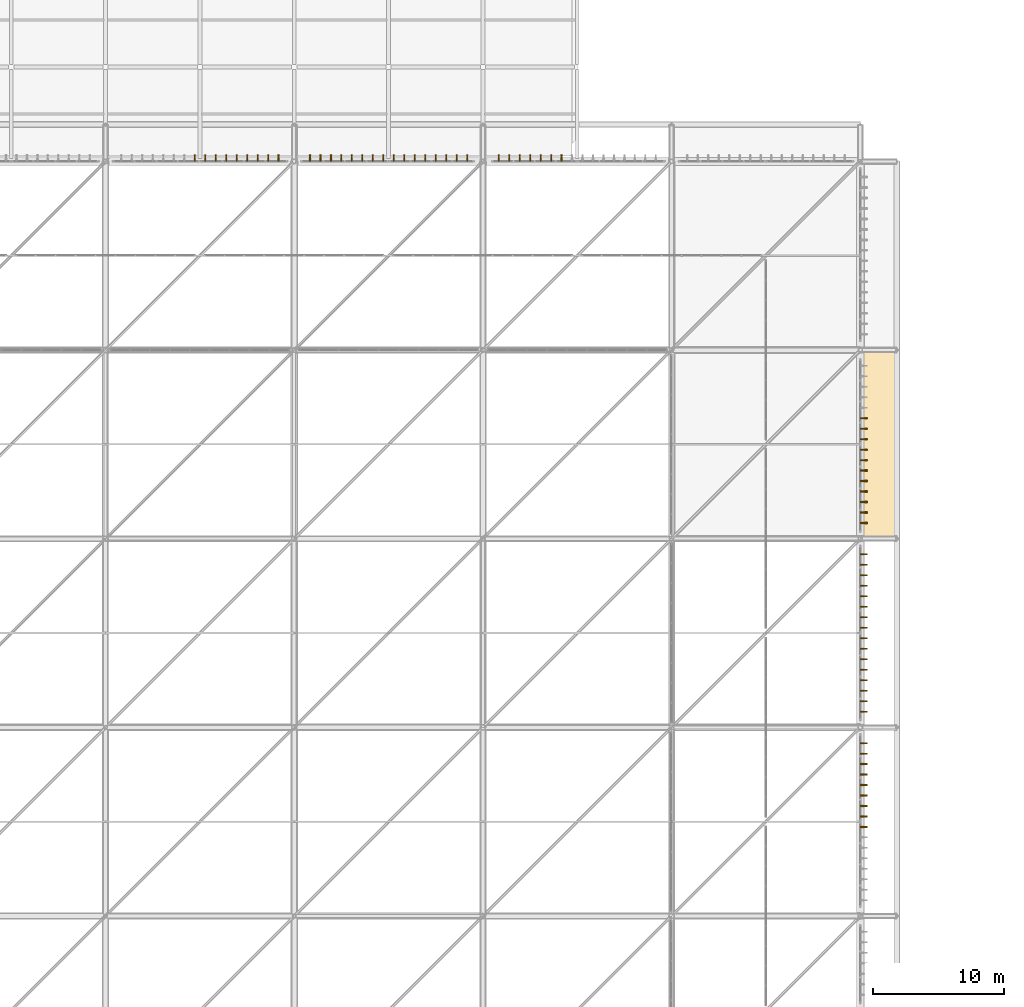
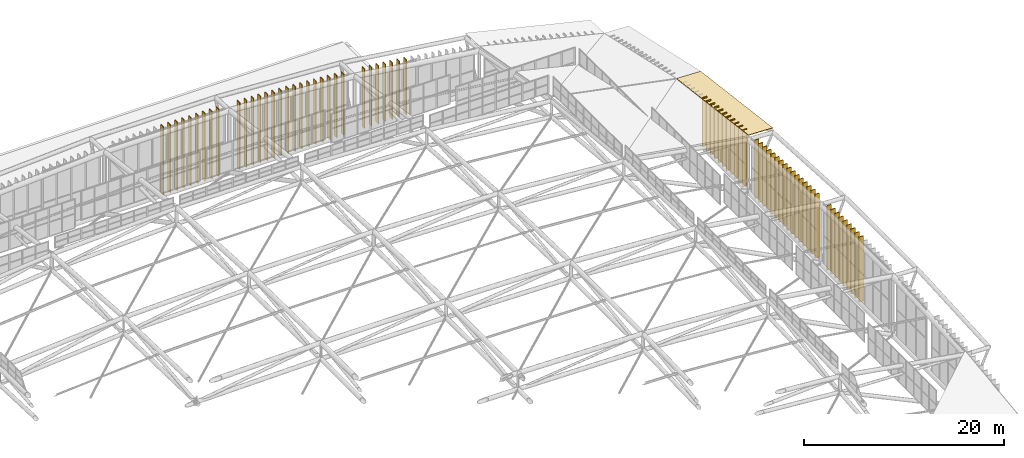
# One storey, part 396 of 397: 69 coverings.
"""IFC4 building model written with IfcOpenShell, lengths in metres."""

import ifcopenshell
import ifcopenshell.guid

model = None  # the IFC model being written
_history = None  # IfcOwnerHistory: only IFC2X3 demands one
_inside = {}  # id of a spatial element -> (the spatial element, [elements in it])
_under = {}  # id of a project, library or spatial element -> (it, [spatial elements below it])
_declared = {}  # id of a project -> (the project, [libraries it declares])
_typed = {}  # id of a type object -> (the type object, [elements of that type])
_made_of = {}  # id of a material, layer set ... -> (it, [elements and type objects made of it])


def new_model(schema):
    """Start an empty IFC model of exactly this schema.

    Asked for "IFC4X3", IfcOpenShell would pick the latest addendum, in which some entities
    have other attributes; the version numbers below select the first issue.
    IFC2X3 requires an IfcOwnerHistory on every rooted entity: one is made here for all.
    """
    global model, _history
    if schema == "IFC4X3":
        model = ifcopenshell.file(schema_version=(4, 3, 0, 0))
    else:
        model = ifcopenshell.file(schema=schema)
    _inside.clear()
    _under.clear()
    _declared.clear()
    _typed.clear()
    _made_of.clear()
    _history = None
    if model.schema == "IFC2X3":
        org = make("IfcOrganization", Name="unknown")
        user = make(
            "IfcPersonAndOrganization",
            ThePerson=make("IfcPerson", FamilyName="unknown"),
            TheOrganization=org,
        )
        app = make(
            "IfcApplication",
            ApplicationDeveloper=org,
            Version="unknown",
            ApplicationFullName="unknown",
            ApplicationIdentifier="unknown",
        )
        _history = make(
            "IfcOwnerHistory",
            OwningUser=user,
            OwningApplication=app,
            ChangeAction="ADDED",
            CreationDate=0,
        )
    return model


def make(cls, **values):
    """One entity of the class cls with the attributes given. An attribute that is None is left unset."""
    return model.create_entity(
        cls, **{name: value for name, value in values.items() if value is not None}
    )


def rooted(cls, **values):
    """An entity with a GlobalId (a new one), such as an element, a storey or a relation."""
    return make(cls, GlobalId=ifcopenshell.guid.new(), OwnerHistory=_history, **values)


def si_unit(unit_type, name, prefix=None):
    """IfcSIUnit, for example si_unit("LENGTHUNIT", "METRE", prefix="MILLI")."""
    return make("IfcSIUnit", UnitType=unit_type, Prefix=prefix, Name=name)


def assignment(units):
    """IfcUnitAssignment: the units of a project."""
    return None if units is None else make("IfcUnitAssignment", Units=units)


def point(xyz):
    """IfcCartesianPoint."""
    return None if xyz is None else make("IfcCartesianPoint", Coordinates=xyz)


def direction(xyz):
    """IfcDirection."""
    return None if xyz is None else make("IfcDirection", DirectionRatios=xyz)


def frame(location, z_axis=None, x_axis=None):
    """IfcAxis2Placement3D, a coordinate frame: its origin and axes. An axis left out is left unset."""
    return make(
        "IfcAxis2Placement3D",
        Location=point(location),
        Axis=direction(z_axis),
        RefDirection=direction(x_axis),
    )


def frame_2d(location, x_axis=None):
    """IfcAxis2Placement2D, a coordinate frame in the plane: its origin and x axis."""
    return make(
        "IfcAxis2Placement2D", Location=point(location), RefDirection=direction(x_axis)
    )


def origin():
    """The frame at (0, 0, 0) with its axes left unset."""
    return frame((0.0, 0.0, 0.0))


def origin_2d():
    """The frame at (0, 0) in the plane with its x axis left unset."""
    return frame_2d((0.0, 0.0))


def place(relative_to, where):
    """IfcLocalPlacement: puts the frame where relative to a parent placement (None: the world)."""
    return make(
        "IfcLocalPlacement", PlacementRelTo=relative_to, RelativePlacement=where
    )


def context(
    kind, dimensions, precision=None, world=None, true_north=None, identifier=None
):
    """IfcGeometricRepresentationContext, for example the 3D "Model" context."""
    return make(
        "IfcGeometricRepresentationContext",
        ContextIdentifier=identifier,
        ContextType=kind,
        CoordinateSpaceDimension=dimensions,
        Precision=precision,
        WorldCoordinateSystem=world,
        TrueNorth=true_north,
    )


def subcontext(parent, identifier, kind, view, scale=None):
    """IfcGeometricRepresentationSubContext, for example "Body" below "Model"."""
    return make(
        "IfcGeometricRepresentationSubContext",
        ContextIdentifier=identifier,
        ContextType=kind,
        ParentContext=parent,
        TargetScale=scale,
        TargetView=view,
    )


def project(units=None, contexts=None):
    """IfcProject with its units and contexts."""
    return rooted(
        "IfcProject",
        Name="project",
        RepresentationContexts=contexts,
        UnitsInContext=assignment(units),
    )


def spatial(cls, under=None, at=None, **own):
    """A site, building, storey or space (cls), placed at a placement, below another one or the project."""
    s = rooted(cls, ObjectPlacement=at, **own)
    if under is not None:
        _under.setdefault(under.id(), (under, []))[1].append(s)
    return s


def polyline(points):
    """IfcPolyline through the points."""
    return make("IfcPolyline", Points=[point(p) for p in points])


def profile(cls, at=None, kind="AREA", **sizes):
    """A parametric profile (cls). Its sizes go by their IFC names, for example OverallWidth=200.0."""
    return make(cls, ProfileType=kind, Position=at, **sizes)


def rectangle(**sizes):
    """IfcRectangleProfileDef."""
    return profile("IfcRectangleProfileDef", **sizes)


def outline(outer, holes=None, kind="AREA"):
    """IfcArbitraryClosedProfileDef: a profile drawn as a closed curve; with holes, ...WithVoids."""
    if holes is None:
        return make("IfcArbitraryClosedProfileDef", ProfileType=kind, OuterCurve=outer)
    return make(
        "IfcArbitraryProfileDefWithVoids",
        ProfileType=kind,
        OuterCurve=outer,
        InnerCurves=holes,
    )


def extrude(swept, where, along, depth):
    """IfcExtrudedAreaSolid: the profile swept, set in the frame where, extruded along a direction by depth."""
    return make(
        "IfcExtrudedAreaSolid",
        SweptArea=swept,
        Position=where,
        ExtrudedDirection=direction(along),
        Depth=depth,
    )


def shape(context_of_items, identifier, shape_type, items):
    """IfcShapeRepresentation: the items that make up one representation, for example the "Body"."""
    return make(
        "IfcShapeRepresentation",
        ContextOfItems=context_of_items,
        RepresentationIdentifier=identifier,
        RepresentationType=shape_type,
        Items=items,
    )


def material(Name=None, Category=None):
    """IfcMaterial."""
    return make("IfcMaterial", Name=Name, Category=Category)


def layer(
    of_material, thickness, ventilated=None, Name=None, Category=None, Priority=None
):
    """IfcMaterialLayer: one layer of a wall or slab, of a material (None: an air gap)."""
    return make(
        "IfcMaterialLayer",
        Material=of_material,
        LayerThickness=thickness,
        IsVentilated=ventilated,
        Name=Name,
        Category=Category,
        Priority=Priority,
    )


def layer_set(layers, Name=None):
    """IfcMaterialLayerSet."""
    return make("IfcMaterialLayerSet", MaterialLayers=layers, LayerSetName=Name)


def made_of(thing, what):
    """Note that an element or type object is made of a material, layer set ...; save() writes the relation."""
    if what is not None:
        _made_of.setdefault(what.id(), (what, []))[1].append(thing)
    return thing


def type_object(cls, material=None, **own):
    """A type object (cls), such as IfcWallType, which elements share."""
    return made_of(rooted(cls, **own), material)


def element(
    cls,
    number,
    at=None,
    inside=None,
    cuts=None,
    type_object=None,
    material=None,
    context=None,
    identifier="Body",
    shape_type=None,
    held_by="IfcProductDefinitionShape",
    body=None,
    shapes=None,
    **own,
):
    """One element of the class cls, such as IfcWall. Its Tag is "e" and its number.

    at: its placement. inside: the storey or other place that contains it. cuts: it is an
    opening in that element (IfcRelVoidsElement). A single representation is given by context,
    identifier, shape_type and body (its items); several are given by shapes. held_by: the class
    of the entity that holds the representations. save() writes the other relations.
    """
    e = rooted(cls, Tag="e%d" % number, ObjectPlacement=at, **own)
    if body is not None:
        shapes = [shape(context, identifier, shape_type, body)]
    if shapes is not None:
        e.Representation = make(held_by, Representations=shapes)
    if inside is not None:
        _inside.setdefault(inside.id(), (inside, []))[1].append(e)
    if cuts is not None:
        rooted(
            "IfcRelVoidsElement", RelatingBuildingElement=cuts, RelatedOpeningElement=e
        )
    if type_object is not None:
        _typed.setdefault(type_object.id(), (type_object, []))[1].append(e)
    return made_of(e, material)


def aggregate(whole, parts):
    """IfcRelAggregates: a whole, such as a stair, and the parts it consists of."""
    return rooted("IfcRelAggregates", RelatingObject=whole, RelatedObjects=parts)


def save(model, path):
    """Write the relations noted so far, then the file.

    IfcRelAggregates (storeys below a building ...), IfcRelContainedInSpatialStructure (elements
    in a storey), IfcRelDefinesByType, IfcRelAssociatesMaterial and IfcRelDeclares: one each for
    every whole, place, type object, material and project.
    """
    for whole, parts in _under.values():
        aggregate(whole, parts)
    for where, things in _inside.values():
        rooted(
            "IfcRelContainedInSpatialStructure",
            RelatedElements=things,
            RelatingStructure=where,
        )
    for kind, things in _typed.values():
        rooted("IfcRelDefinesByType", RelatedObjects=things, RelatingType=kind)
    for what, things in _made_of.values():
        rooted("IfcRelAssociatesMaterial", RelatedObjects=things, RelatingMaterial=what)
    for by, libraries in _declared.values():
        rooted("IfcRelDeclares", RelatingContext=by, RelatedDefinitions=libraries)
    model.write(path)


model = new_model("IFC4")

# Units and contexts
model_context = context("Model", 3, precision=1e-05, world=origin(), true_north=direction((0.0, 1.0)))
body_context = subcontext(model_context, "Body", "Model", "MODEL_VIEW")
ifc_project = project(units=[si_unit("LENGTHUNIT", "METRE"), si_unit("AREAUNIT", "SQUARE_METRE"), si_unit("VOLUMEUNIT", "CUBIC_METRE"), si_unit("PLANEANGLEUNIT", "RADIAN"), si_unit("MASSUNIT", "GRAM", prefix="KILO")], contexts=[model_context])

# Site, building, storey
site_placement = place(None, origin())
site = spatial("IfcSite", under=ifc_project, at=site_placement, CompositionType="ELEMENT")
building_placement = place(site_placement, origin())
building = spatial("IfcBuilding", under=site, at=building_placement, Name="Qandorah Velis Arena", CompositionType="ELEMENT")
storey_placement = place(building_placement, frame((0.0, 0.0, 27.5)))
storey = spatial("IfcBuildingStorey", under=building, at=storey_placement, Name="RF", CompositionType="ELEMENT", Elevation=27.5)

# Coverings
ifc_material_1 = material(Name="Champagne-bronze anodized aluminium 6063-T6", Category="aluminium")
ifc_layer_1 = layer(ifc_material_1, 0.0849609375)
ifc_layer_set_1 = layer_set([ifc_layer_1], Name="Champagne-bronze anodized aluminium 6063-T6")
covering_type_1 = type_object("IfcCoveringType", Name="ARC-COV-FIN520", PredefinedType="CLADDING", material=ifc_layer_set_1)
for number, where, z_axis, x_axis, name in (
    (1, (115.455078125, 64.39990234375, -0.010009765625), (0.0, 0.0, 1.0), (1.0, 0.0, 0.0), "Arched crown champagne-bronze solar fin 2.5.8"),
    (2, (115.455078125, 65.199951171875, -0.010009765625), (0.0, 0.0, 1.0), (1.0, 0.0, 0.0), "Arched crown champagne-bronze solar fin 2.5.9"),
):
    element("IfcCovering", number, at=place(storey_placement, frame(where, z_axis=z_axis, x_axis=x_axis)), inside=storey, type_object=covering_type_1, Name=name, PredefinedType="CLADDING", context=body_context, shape_type="SweptSolid", body=[
        extrude(rectangle(XDim=0.52001953125, YDim=0.0849609375, at=origin_2d()), origin(), (0.0, 0.0, 1.0), 7.92822265625),
    ])
covering_1_placement = place(storey_placement, frame((115.455078125, 66.0, -0.010009765625), z_axis=(0.0, 0.0, 1.0), x_axis=(1.0, 0.0, 0.0)))
element("IfcCovering", 3, at=covering_1_placement, inside=storey, type_object=covering_type_1, Name="Arched crown champagne-bronze solar fin 2.5.10", PredefinedType="CLADDING", context=body_context, shape_type="SweptSolid", body=[
    extrude(rectangle(XDim=0.52001953125, YDim=0.0849609375, at=origin_2d()), origin(), (0.0, 0.0, 1.0), 7.92578125),
])
covering_2_placement = place(storey_placement, frame((115.455078125, 66.800048828125, -0.01025390625), z_axis=(0.0, 0.0, 1.0), x_axis=(1.0, 0.0, 0.0)))
element("IfcCovering", 4, at=covering_2_placement, inside=storey, type_object=covering_type_1, Name="Arched crown champagne-bronze solar fin 2.5.11", PredefinedType="CLADDING", context=body_context, shape_type="SweptSolid", body=[
    extrude(rectangle(XDim=0.52001953125, YDim=0.0849609375, at=origin_2d()), origin(), (0.0, 0.0, 1.0), 7.921142578125),
])
covering_3_placement = place(storey_placement, frame((115.455078125, 67.60009765625, -0.009765625), z_axis=(0.0, 0.0, 1.0), x_axis=(1.0, 0.0, 0.0)))
element("IfcCovering", 5, at=covering_3_placement, inside=storey, type_object=covering_type_1, Name="Arched crown champagne-bronze solar fin 2.5.12", PredefinedType="CLADDING", context=body_context, shape_type="SweptSolid", body=[
    extrude(rectangle(XDim=0.52001953125, YDim=0.0849609375, at=origin_2d()), origin(), (0.0, 0.0, 1.0), 7.913818359375),
])
covering_4_placement = place(storey_placement, frame((115.455078125, 68.39990234375, -0.010009765625), z_axis=(0.0, 0.0, 1.0), x_axis=(1.0, 0.0, 0.0)))
element("IfcCovering", 6, at=covering_4_placement, inside=storey, type_object=covering_type_1, Name="Arched crown champagne-bronze solar fin 2.5.13", PredefinedType="CLADDING", context=body_context, shape_type="SweptSolid", body=[
    extrude(rectangle(XDim=0.52001953125, YDim=0.0849609375, at=origin_2d()), origin(), (0.0, 0.0, 1.0), 7.904296875),
])
covering_5_placement = place(storey_placement, frame((115.455078125, 69.199951171875, -0.010009765625), z_axis=(0.0, 0.0, 1.0), x_axis=(1.0, 0.0, 0.0)))
element("IfcCovering", 7, at=covering_5_placement, inside=storey, type_object=covering_type_1, Name="Arched crown champagne-bronze solar fin 2.5.14", PredefinedType="CLADDING", context=body_context, shape_type="SweptSolid", body=[
    extrude(rectangle(XDim=0.52001953125, YDim=0.0849609375, at=origin_2d()), origin(), (0.0, 0.0, 1.0), 7.89208984375),
])
covering_6_placement = place(storey_placement, frame((115.455078125, 70.0, -0.01025390625), z_axis=(0.0, 0.0, 1.0), x_axis=(1.0, 0.0, 0.0)))
element("IfcCovering", 8, at=covering_6_placement, inside=storey, type_object=covering_type_1, Name="Arched crown champagne-bronze solar fin 2.5.15", PredefinedType="CLADDING", context=body_context, shape_type="SweptSolid", body=[
    extrude(rectangle(XDim=0.52001953125, YDim=0.0849609375, at=origin_2d()), origin(), (0.0, 0.0, 1.0), 7.877685546875),
])
covering_7_placement = place(storey_placement, frame((115.455078125, 70.800048828125, -0.009765625), z_axis=(0.0, 0.0, 1.0), x_axis=(1.0, 0.0, 0.0)))
element("IfcCovering", 9, at=covering_7_placement, inside=storey, type_object=covering_type_1, Name="Arched crown champagne-bronze solar fin 2.5.16", PredefinedType="CLADDING", context=body_context, shape_type="SweptSolid", body=[
    extrude(rectangle(XDim=0.52001953125, YDim=0.0849609375, at=origin_2d()), origin(), (0.0, 0.0, 1.0), 7.860595703125),
])
covering_8_placement = place(storey_placement, frame((115.455078125, 73.199951171875, -0.010009765625), z_axis=(0.0, 0.0, 1.0), x_axis=(1.0, 0.0, 0.0)))
element("IfcCovering", 10, at=covering_8_placement, inside=storey, type_object=covering_type_1, Name="Arched crown champagne-bronze solar fin 2.6.1", PredefinedType="CLADDING", context=body_context, shape_type="SweptSolid", body=[
    extrude(rectangle(XDim=0.52001953125, YDim=0.0849609375, at=origin_2d()), origin(), (0.0, 0.0, 1.0), 7.794921875),
])
covering_9_placement = place(storey_placement, frame((115.455078125, 74.0, -0.010009765625), z_axis=(0.0, 0.0, 1.0), x_axis=(1.0, 0.0, 0.0)))
element("IfcCovering", 11, at=covering_9_placement, inside=storey, type_object=covering_type_1, Name="Arched crown champagne-bronze solar fin 2.6.2", PredefinedType="CLADDING", context=body_context, shape_type="SweptSolid", body=[
    extrude(rectangle(XDim=0.52001953125, YDim=0.0849609375, at=origin_2d()), origin(), (0.0, 0.0, 1.0), 7.76806640625),
])
covering_10_placement = place(storey_placement, frame((115.455078125, 74.800048828125, -0.010009765625), z_axis=(0.0, 0.0, 1.0), x_axis=(1.0, 0.0, 0.0)))
element("IfcCovering", 12, at=covering_10_placement, inside=storey, type_object=covering_type_1, Name="Arched crown champagne-bronze solar fin 2.6.3", PredefinedType="CLADDING", context=body_context, shape_type="SweptSolid", body=[
    extrude(rectangle(XDim=0.52001953125, YDim=0.0849609375, at=origin_2d()), origin(), (0.0, 0.0, 1.0), 7.73876953125),
])
covering_11_placement = place(storey_placement, frame((115.455078125, 75.60009765625, -0.01025390625), z_axis=(0.0, 0.0, 1.0), x_axis=(1.0, 0.0, 0.0)))
element("IfcCovering", 13, at=covering_11_placement, inside=storey, type_object=covering_type_1, Name="Arched crown champagne-bronze solar fin 2.6.4", PredefinedType="CLADDING", context=body_context, shape_type="SweptSolid", body=[
    extrude(rectangle(XDim=0.52001953125, YDim=0.0849609375, at=origin_2d()), origin(), (0.0, 0.0, 1.0), 7.706787109375),
])
covering_12_placement = place(storey_placement, frame((115.455078125, 76.39990234375, -0.01025390625), z_axis=(0.0, 0.0, 1.0), x_axis=(1.0, 0.0, 0.0)))
element("IfcCovering", 14, at=covering_12_placement, inside=storey, type_object=covering_type_1, Name="Arched crown champagne-bronze solar fin 2.6.5", PredefinedType="CLADDING", context=body_context, shape_type="SweptSolid", body=[
    extrude(rectangle(XDim=0.52001953125, YDim=0.0849609375, at=origin_2d()), origin(), (0.0, 0.0, 1.0), 7.672119140625),
])
covering_13_placement = place(storey_placement, frame((115.455078125, 77.199951171875, -0.01025390625), z_axis=(0.0, 0.0, 1.0), x_axis=(1.0, 0.0, 0.0)))
element("IfcCovering", 15, at=covering_13_placement, inside=storey, type_object=covering_type_1, Name="Arched crown champagne-bronze solar fin 2.6.6", PredefinedType="CLADDING", context=body_context, shape_type="SweptSolid", body=[
    extrude(rectangle(XDim=0.52001953125, YDim=0.0849609375, at=origin_2d()), origin(), (0.0, 0.0, 1.0), 7.635009765625),
])
covering_14_placement = place(storey_placement, frame((115.455078125, 78.0, -0.009765625), z_axis=(0.0, 0.0, 1.0), x_axis=(1.0, 0.0, 0.0)))
element("IfcCovering", 16, at=covering_14_placement, inside=storey, type_object=covering_type_1, Name="Arched crown champagne-bronze solar fin 2.6.7", PredefinedType="CLADDING", context=body_context, shape_type="SweptSolid", body=[
    extrude(rectangle(XDim=0.52001953125, YDim=0.0849609375, at=origin_2d()), origin(), (0.0, 0.0, 1.0), 7.594970703125),
])
covering_15_placement = place(storey_placement, frame((115.455078125, 78.800048828125, -0.01025390625), z_axis=(0.0, 0.0, 1.0), x_axis=(1.0, 0.0, 0.0)))
element("IfcCovering", 17, at=covering_15_placement, inside=storey, type_object=covering_type_1, Name="Arched crown champagne-bronze solar fin 2.6.8", PredefinedType="CLADDING", context=body_context, shape_type="SweptSolid", body=[
    extrude(rectangle(XDim=0.52001953125, YDim=0.0849609375, at=origin_2d()), origin(), (0.0, 0.0, 1.0), 7.552490234375),
])
covering_16_placement = place(storey_placement, frame((115.455078125, 79.60009765625, -0.010009765625), z_axis=(0.0, 0.0, 1.0), x_axis=(1.0, 0.0, 0.0)))
element("IfcCovering", 18, at=covering_16_placement, inside=storey, type_object=covering_type_1, Name="Arched crown champagne-bronze solar fin 2.6.9", PredefinedType="CLADDING", context=body_context, shape_type="SweptSolid", body=[
    extrude(rectangle(XDim=0.52001953125, YDim=0.0849609375, at=origin_2d()), origin(), (0.0, 0.0, 1.0), 7.50732421875),
])
covering_17_placement = place(storey_placement, frame((115.455078125, 80.39990234375, -0.010009765625), z_axis=(0.0, 0.0, 1.0), x_axis=(1.0, 0.0, 0.0)))
element("IfcCovering", 19, at=covering_17_placement, inside=storey, type_object=covering_type_1, Name="Arched crown champagne-bronze solar fin 2.6.10", PredefinedType="CLADDING", context=body_context, shape_type="SweptSolid", body=[
    extrude(rectangle(XDim=0.52001953125, YDim=0.0849609375, at=origin_2d()), origin(), (0.0, 0.0, 1.0), 7.45947265625),
])
covering_18_placement = place(storey_placement, frame((115.455078125, 81.199951171875, -0.010009765625), z_axis=(0.0, 0.0, 1.0), x_axis=(1.0, 0.0, 0.0)))
element("IfcCovering", 20, at=covering_18_placement, inside=storey, type_object=covering_type_1, Name="Arched crown champagne-bronze solar fin 2.6.11", PredefinedType="CLADDING", context=body_context, shape_type="SweptSolid", body=[
    extrude(rectangle(XDim=0.52001953125, YDim=0.0849609375, at=origin_2d()), origin(), (0.0, 0.0, 1.0), 7.40869140625),
])
covering_19_placement = place(storey_placement, frame((115.455078125, 82.0, -0.010009765625), z_axis=(0.0, 0.0, 1.0), x_axis=(1.0, 0.0, 0.0)))
element("IfcCovering", 21, at=covering_19_placement, inside=storey, type_object=covering_type_1, Name="Arched crown champagne-bronze solar fin 2.6.12", PredefinedType="CLADDING", context=body_context, shape_type="SweptSolid", body=[
    extrude(rectangle(XDim=0.52001953125, YDim=0.0849609375, at=origin_2d()), origin(), (0.0, 0.0, 1.0), 7.35498046875),
])
covering_20_placement = place(storey_placement, frame((115.455078125, 82.800048828125, -0.009765625), z_axis=(0.0, 0.0, 1.0), x_axis=(1.0, 0.0, 0.0)))
element("IfcCovering", 22, at=covering_20_placement, inside=storey, type_object=covering_type_1, Name="Arched crown champagne-bronze solar fin 2.6.13", PredefinedType="CLADDING", context=body_context, shape_type="SweptSolid", body=[
    extrude(rectangle(XDim=0.52001953125, YDim=0.0849609375, at=origin_2d()), origin(), (0.0, 0.0, 1.0), 7.298583984375),
])
covering_21_placement = place(storey_placement, frame((115.455078125, 83.60009765625, -0.01025390625), z_axis=(0.0, 0.0, 1.0), x_axis=(1.0, 0.0, 0.0)))
element("IfcCovering", 23, at=covering_21_placement, inside=storey, type_object=covering_type_1, Name="Arched crown champagne-bronze solar fin 2.6.14", PredefinedType="CLADDING", context=body_context, shape_type="SweptSolid", body=[
    extrude(rectangle(XDim=0.52001953125, YDim=0.0849609375, at=origin_2d()), origin(), (0.0, 0.0, 1.0), 7.239501953125),
])
covering_22_placement = place(storey_placement, frame((115.455078125, 84.39990234375, -0.009765625), z_axis=(0.0, 0.0, 1.0), x_axis=(1.0, 0.0, 0.0)))
element("IfcCovering", 24, at=covering_22_placement, inside=storey, type_object=covering_type_1, Name="Arched crown champagne-bronze solar fin 2.6.15", PredefinedType="CLADDING", context=body_context, shape_type="SweptSolid", body=[
    extrude(rectangle(XDim=0.52001953125, YDim=0.0849609375, at=origin_2d()), origin(), (0.0, 0.0, 1.0), 7.177001953125),
])
covering_23_placement = place(storey_placement, frame((115.455078125, 85.199951171875, -0.010009765625), z_axis=(0.0, 0.0, 1.0), x_axis=(1.0, 0.0, 0.0)))
element("IfcCovering", 25, at=covering_23_placement, inside=storey, type_object=covering_type_1, Name="Arched crown champagne-bronze solar fin 2.6.16", PredefinedType="CLADDING", context=body_context, shape_type="SweptSolid", body=[
    extrude(rectangle(XDim=0.52001953125, YDim=0.0849609375, at=origin_2d()), origin(), (0.0, 0.0, 1.0), 7.11181640625),
])
covering_24_placement = place(storey_placement, frame((115.455078125, 87.60009765625, -0.009765625), z_axis=(0.0, 0.0, 1.0), x_axis=(1.0, 0.0, 0.0)))
element("IfcCovering", 26, at=covering_24_placement, inside=storey, type_object=covering_type_1, Name="Arched crown champagne-bronze solar fin 2.7.1", PredefinedType="CLADDING", context=body_context, shape_type="SweptSolid", body=[
    extrude(rectangle(XDim=0.52001953125, YDim=0.0849609375, at=origin_2d()), origin(), (0.0, 0.0, 1.0), 6.897705078125),
])
covering_25_placement = place(storey_placement, frame((115.455078125, 88.39990234375, -0.010009765625), z_axis=(0.0, 0.0, 1.0), x_axis=(1.0, 0.0, 0.0)))
element("IfcCovering", 27, at=covering_25_placement, inside=storey, type_object=covering_type_1, Name="Arched crown champagne-bronze solar fin 2.7.2", PredefinedType="CLADDING", context=body_context, shape_type="SweptSolid", body=[
    extrude(rectangle(XDim=0.52001953125, YDim=0.0849609375, at=origin_2d()), origin(), (0.0, 0.0, 1.0), 6.8203125),
])
covering_26_placement = place(storey_placement, frame((115.455078125, 89.199951171875, -0.010009765625), z_axis=(0.0, 0.0, 1.0), x_axis=(1.0, 0.0, 0.0)))
element("IfcCovering", 28, at=covering_26_placement, inside=storey, type_object=covering_type_1, Name="Arched crown champagne-bronze solar fin 2.7.3", PredefinedType="CLADDING", context=body_context, shape_type="SweptSolid", body=[
    extrude(rectangle(XDim=0.52001953125, YDim=0.0849609375, at=origin_2d()), origin(), (0.0, 0.0, 1.0), 6.7392578125),
])
covering_27_placement = place(storey_placement, frame((115.455078125, 90.0, -0.010009765625), z_axis=(0.0, 0.0, 1.0), x_axis=(1.0, 0.0, 0.0)))
element("IfcCovering", 29, at=covering_27_placement, inside=storey, type_object=covering_type_1, Name="Arched crown champagne-bronze solar fin 2.7.4", PredefinedType="CLADDING", context=body_context, shape_type="SweptSolid", body=[
    extrude(rectangle(XDim=0.52001953125, YDim=0.0849609375, at=origin_2d()), origin(), (0.0, 0.0, 1.0), 6.6552734375),
])
covering_28_placement = place(storey_placement, frame((115.455078125, 90.800048828125, -0.01025390625), z_axis=(0.0, 0.0, 1.0), x_axis=(1.0, 0.0, 0.0)))
element("IfcCovering", 30, at=covering_28_placement, inside=storey, type_object=covering_type_1, Name="Arched crown champagne-bronze solar fin 2.7.5", PredefinedType="CLADDING", context=body_context, shape_type="SweptSolid", body=[
    extrude(rectangle(XDim=0.52001953125, YDim=0.0849609375, at=origin_2d()), origin(), (0.0, 0.0, 1.0), 6.567626953125),
])
covering_29_placement = place(storey_placement, frame((115.455078125, 91.60009765625, -0.009765625), z_axis=(0.0, 0.0, 1.0), x_axis=(1.0, 0.0, 0.0)))
element("IfcCovering", 31, at=covering_29_placement, inside=storey, type_object=covering_type_1, Name="Arched crown champagne-bronze solar fin 2.7.6", PredefinedType="CLADDING", context=body_context, shape_type="SweptSolid", body=[
    extrude(rectangle(XDim=0.52001953125, YDim=0.0849609375, at=origin_2d()), origin(), (0.0, 0.0, 1.0), 6.476806640625),
])
covering_30_placement = place(storey_placement, frame((115.455078125, 92.39990234375, -0.01025390625), z_axis=(0.0, 0.0, 1.0), x_axis=(1.0, 0.0, 0.0)))
element("IfcCovering", 32, at=covering_30_placement, inside=storey, type_object=covering_type_1, Name="Arched crown champagne-bronze solar fin 2.7.7", PredefinedType="CLADDING", context=body_context, shape_type="SweptSolid", body=[
    extrude(rectangle(XDim=0.52001953125, YDim=0.0849609375, at=origin_2d()), origin(), (0.0, 0.0, 1.0), 6.382568359375),
])
covering_31_placement = place(storey_placement, frame((115.455078125, 93.199951171875, -0.010009765625), z_axis=(0.0, 0.0, 1.0), x_axis=(1.0, 0.0, 0.0)))
element("IfcCovering", 33, at=covering_31_placement, inside=storey, type_object=covering_type_1, Name="Arched crown champagne-bronze solar fin 2.7.8", PredefinedType="CLADDING", context=body_context, shape_type="SweptSolid", body=[
    extrude(rectangle(XDim=0.52001953125, YDim=0.0849609375, at=origin_2d()), origin(), (0.0, 0.0, 1.0), 6.28466796875),
])
covering_32_placement = place(storey_placement, frame((115.455078125, 94.0, -0.01025390625), z_axis=(0.0, 0.0, 1.0), x_axis=(1.0, 0.0, 0.0)))
element("IfcCovering", 34, at=covering_32_placement, inside=storey, type_object=covering_type_1, Name="Arched crown champagne-bronze solar fin 2.7.9", PredefinedType="CLADDING", context=body_context, shape_type="SweptSolid", body=[
    extrude(rectangle(XDim=0.52001953125, YDim=0.0849609375, at=origin_2d()), origin(), (0.0, 0.0, 1.0), 6.183349609375),
])
covering_33_placement = place(storey_placement, frame((115.455078125, 94.800048828125, -0.010009765625), z_axis=(0.0, 0.0, 1.0), x_axis=(1.0, 0.0, 0.0)))
element("IfcCovering", 35, at=covering_33_placement, inside=storey, type_object=covering_type_1, Name="Arched crown champagne-bronze solar fin 2.7.10", PredefinedType="CLADDING", context=body_context, shape_type="SweptSolid", body=[
    extrude(rectangle(XDim=0.52001953125, YDim=0.0849609375, at=origin_2d()), origin(), (0.0, 0.0, 1.0), 6.078125),
])
covering_34_placement = place(storey_placement, frame((115.455078125, 95.60009765625, -0.009765625), z_axis=(0.0, 0.0, 1.0), x_axis=(1.0, 0.0, 0.0)))
element("IfcCovering", 36, at=covering_34_placement, inside=storey, type_object=covering_type_1, Name="Arched crown champagne-bronze solar fin 2.7.11", PredefinedType="CLADDING", context=body_context, shape_type="SweptSolid", body=[
    extrude(rectangle(XDim=0.52001953125, YDim=0.0849609375, at=origin_2d()), origin(), (0.0, 0.0, 1.0), 5.969482421875),
])
for number, where, z_axis, x_axis, name in (
    (37, (64.39990234375, 115.455078125, -0.009765625), (0.0, 0.0, 1.0), (1.0, 0.0, 0.0), "Arched crown champagne-bronze solar fin 4.4.8"),
    (38, (65.199951171875, 115.455078125, -0.009765625), (0.0, 0.0, 1.0), (1.0, 0.0, 0.0), "Arched crown champagne-bronze solar fin 4.4.9"),
):
    element("IfcCovering", number, at=place(storey_placement, frame(where, z_axis=z_axis, x_axis=x_axis)), inside=storey, type_object=covering_type_1, Name=name, PredefinedType="CLADDING", context=body_context, shape_type="SweptSolid", body=[
        extrude(rectangle(XDim=0.0849609375, YDim=0.52001953125, at=origin_2d()), origin(), (0.0, 0.0, 1.0), 8.316650390625),
    ])
covering_35_placement = place(storey_placement, frame((66.0, 115.455078125, -0.009765625), z_axis=(0.0, 0.0, 1.0), x_axis=(1.0, 0.0, 0.0)))
element("IfcCovering", 39, at=covering_35_placement, inside=storey, type_object=covering_type_1, Name="Arched crown champagne-bronze solar fin 4.4.10", PredefinedType="CLADDING", context=body_context, shape_type="SweptSolid", body=[
    extrude(rectangle(XDim=0.0849609375, YDim=0.52001953125, at=origin_2d()), origin(), (0.0, 0.0, 1.0), 8.314208984375),
])
covering_36_placement = place(storey_placement, frame((66.800048828125, 115.455078125, -0.01025390625), z_axis=(0.0, 0.0, 1.0), x_axis=(1.0, 0.0, 0.0)))
element("IfcCovering", 40, at=covering_36_placement, inside=storey, type_object=covering_type_1, Name="Arched crown champagne-bronze solar fin 4.4.11", PredefinedType="CLADDING", context=body_context, shape_type="SweptSolid", body=[
    extrude(rectangle(XDim=0.0849609375, YDim=0.52001953125, at=origin_2d()), origin(), (0.0, 0.0, 1.0), 8.309326171875),
])
covering_37_placement = place(storey_placement, frame((67.60009765625, 115.455078125, -0.010009765625), z_axis=(0.0, 0.0, 1.0), x_axis=(1.0, 0.0, 0.0)))
element("IfcCovering", 41, at=covering_37_placement, inside=storey, type_object=covering_type_1, Name="Arched crown champagne-bronze solar fin 4.4.12", PredefinedType="CLADDING", context=body_context, shape_type="SweptSolid", body=[
    extrude(rectangle(XDim=0.0849609375, YDim=0.52001953125, at=origin_2d()), origin(), (0.0, 0.0, 1.0), 8.3017578125),
])
covering_38_placement = place(storey_placement, frame((68.39990234375, 115.455078125, -0.009765625), z_axis=(0.0, 0.0, 1.0), x_axis=(1.0, 0.0, 0.0)))
element("IfcCovering", 42, at=covering_38_placement, inside=storey, type_object=covering_type_1, Name="Arched crown champagne-bronze solar fin 4.4.13", PredefinedType="CLADDING", context=body_context, shape_type="SweptSolid", body=[
    extrude(rectangle(XDim=0.0849609375, YDim=0.52001953125, at=origin_2d()), origin(), (0.0, 0.0, 1.0), 8.291748046875),
])
covering_39_placement = place(storey_placement, frame((69.199951171875, 115.455078125, -0.010009765625), z_axis=(0.0, 0.0, 1.0), x_axis=(1.0, 0.0, 0.0)))
element("IfcCovering", 43, at=covering_39_placement, inside=storey, type_object=covering_type_1, Name="Arched crown champagne-bronze solar fin 4.4.14", PredefinedType="CLADDING", context=body_context, shape_type="SweptSolid", body=[
    extrude(rectangle(XDim=0.0849609375, YDim=0.52001953125, at=origin_2d()), origin(), (0.0, 0.0, 1.0), 8.279296875),
])
covering_40_placement = place(storey_placement, frame((70.0, 115.455078125, -0.009765625), z_axis=(0.0, 0.0, 1.0), x_axis=(1.0, 0.0, 0.0)))
element("IfcCovering", 44, at=covering_40_placement, inside=storey, type_object=covering_type_1, Name="Arched crown champagne-bronze solar fin 4.4.15", PredefinedType="CLADDING", context=body_context, shape_type="SweptSolid", body=[
    extrude(rectangle(XDim=0.0849609375, YDim=0.52001953125, at=origin_2d()), origin(), (0.0, 0.0, 1.0), 8.264404296875),
])
covering_41_placement = place(storey_placement, frame((70.800048828125, 115.455078125, -0.009765625), z_axis=(0.0, 0.0, 1.0), x_axis=(1.0, 0.0, 0.0)))
element("IfcCovering", 45, at=covering_41_placement, inside=storey, type_object=covering_type_1, Name="Arched crown champagne-bronze solar fin 4.4.16", PredefinedType="CLADDING", context=body_context, shape_type="SweptSolid", body=[
    extrude(rectangle(XDim=0.0849609375, YDim=0.52001953125, at=origin_2d()), origin(), (0.0, 0.0, 1.0), 8.246826171875),
])
covering_42_placement = place(storey_placement, frame((73.199951171875, 115.455078125, -0.01025390625), z_axis=(0.0, 0.0, 1.0), x_axis=(1.0, 0.0, 0.0)))
element("IfcCovering", 46, at=covering_42_placement, inside=storey, type_object=covering_type_1, Name="Arched crown champagne-bronze solar fin 4.5.1", PredefinedType="CLADDING", context=body_context, shape_type="SweptSolid", body=[
    extrude(rectangle(XDim=0.0849609375, YDim=0.52001953125, at=origin_2d()), origin(), (0.0, 0.0, 1.0), 8.178955078125),
])
covering_43_placement = place(storey_placement, frame((74.0, 115.455078125, -0.01025390625), z_axis=(0.0, 0.0, 1.0), x_axis=(1.0, 0.0, 0.0)))
element("IfcCovering", 47, at=covering_43_placement, inside=storey, type_object=covering_type_1, Name="Arched crown champagne-bronze solar fin 4.5.2", PredefinedType="CLADDING", context=body_context, shape_type="SweptSolid", body=[
    extrude(rectangle(XDim=0.0849609375, YDim=0.52001953125, at=origin_2d()), origin(), (0.0, 0.0, 1.0), 8.151123046875),
])
covering_44_placement = place(storey_placement, frame((74.800048828125, 115.455078125, -0.010009765625), z_axis=(0.0, 0.0, 1.0), x_axis=(1.0, 0.0, 0.0)))
element("IfcCovering", 48, at=covering_44_placement, inside=storey, type_object=covering_type_1, Name="Arched crown champagne-bronze solar fin 4.5.3", PredefinedType="CLADDING", context=body_context, shape_type="SweptSolid", body=[
    extrude(rectangle(XDim=0.0849609375, YDim=0.52001953125, at=origin_2d()), origin(), (0.0, 0.0, 1.0), 8.12060546875),
])
covering_45_placement = place(storey_placement, frame((75.60009765625, 115.455078125, -0.010009765625), z_axis=(0.0, 0.0, 1.0), x_axis=(1.0, 0.0, 0.0)))
element("IfcCovering", 49, at=covering_45_placement, inside=storey, type_object=covering_type_1, Name="Arched crown champagne-bronze solar fin 4.5.4", PredefinedType="CLADDING", context=body_context, shape_type="SweptSolid", body=[
    extrude(rectangle(XDim=0.0849609375, YDim=0.52001953125, at=origin_2d()), origin(), (0.0, 0.0, 1.0), 8.08740234375),
])
covering_46_placement = place(storey_placement, frame((76.39990234375, 115.455078125, -0.01025390625), z_axis=(0.0, 0.0, 1.0), x_axis=(1.0, 0.0, 0.0)))
element("IfcCovering", 50, at=covering_46_placement, inside=storey, type_object=covering_type_1, Name="Arched crown champagne-bronze solar fin 4.5.5", PredefinedType="CLADDING", context=body_context, shape_type="SweptSolid", body=[
    extrude(rectangle(XDim=0.0849609375, YDim=0.52001953125, at=origin_2d()), origin(), (0.0, 0.0, 1.0), 8.051513671875),
])
covering_47_placement = place(storey_placement, frame((77.199951171875, 115.455078125, -0.01025390625), z_axis=(0.0, 0.0, 1.0), x_axis=(1.0, 0.0, 0.0)))
element("IfcCovering", 51, at=covering_47_placement, inside=storey, type_object=covering_type_1, Name="Arched crown champagne-bronze solar fin 4.5.6", PredefinedType="CLADDING", context=body_context, shape_type="SweptSolid", body=[
    extrude(rectangle(XDim=0.0849609375, YDim=0.52001953125, at=origin_2d()), origin(), (0.0, 0.0, 1.0), 8.012939453125),
])
covering_48_placement = place(storey_placement, frame((78.0, 115.455078125, -0.01025390625), z_axis=(0.0, 0.0, 1.0), x_axis=(1.0, 0.0, 0.0)))
element("IfcCovering", 52, at=covering_48_placement, inside=storey, type_object=covering_type_1, Name="Arched crown champagne-bronze solar fin 4.5.7", PredefinedType="CLADDING", context=body_context, shape_type="SweptSolid", body=[
    extrude(rectangle(XDim=0.0849609375, YDim=0.52001953125, at=origin_2d()), origin(), (0.0, 0.0, 1.0), 7.971435546875),
])
covering_49_placement = place(storey_placement, frame((78.800048828125, 115.455078125, -0.01025390625), z_axis=(0.0, 0.0, 1.0), x_axis=(1.0, 0.0, 0.0)))
element("IfcCovering", 53, at=covering_49_placement, inside=storey, type_object=covering_type_1, Name="Arched crown champagne-bronze solar fin 4.5.8", PredefinedType="CLADDING", context=body_context, shape_type="SweptSolid", body=[
    extrude(rectangle(XDim=0.0849609375, YDim=0.52001953125, at=origin_2d()), origin(), (0.0, 0.0, 1.0), 7.927490234375),
])
covering_50_placement = place(storey_placement, frame((79.60009765625, 115.455078125, -0.010009765625), z_axis=(0.0, 0.0, 1.0), x_axis=(1.0, 0.0, 0.0)))
element("IfcCovering", 54, at=covering_50_placement, inside=storey, type_object=covering_type_1, Name="Arched crown champagne-bronze solar fin 4.5.9", PredefinedType="CLADDING", context=body_context, shape_type="SweptSolid", body=[
    extrude(rectangle(XDim=0.0849609375, YDim=0.52001953125, at=origin_2d()), origin(), (0.0, 0.0, 1.0), 7.88037109375),
])
covering_51_placement = place(storey_placement, frame((80.39990234375, 115.455078125, -0.009765625), z_axis=(0.0, 0.0, 1.0), x_axis=(1.0, 0.0, 0.0)))
element("IfcCovering", 55, at=covering_51_placement, inside=storey, type_object=covering_type_1, Name="Arched crown champagne-bronze solar fin 4.5.10", PredefinedType="CLADDING", context=body_context, shape_type="SweptSolid", body=[
    extrude(rectangle(XDim=0.0849609375, YDim=0.52001953125, at=origin_2d()), origin(), (0.0, 0.0, 1.0), 7.830322265625),
])
covering_52_placement = place(storey_placement, frame((81.199951171875, 115.455078125, -0.009765625), z_axis=(0.0, 0.0, 1.0), x_axis=(1.0, 0.0, 0.0)))
element("IfcCovering", 56, at=covering_52_placement, inside=storey, type_object=covering_type_1, Name="Arched crown champagne-bronze solar fin 4.5.11", PredefinedType="CLADDING", context=body_context, shape_type="SweptSolid", body=[
    extrude(rectangle(XDim=0.0849609375, YDim=0.52001953125, at=origin_2d()), origin(), (0.0, 0.0, 1.0), 7.777587890625),
])
covering_53_placement = place(storey_placement, frame((82.0, 115.455078125, -0.010009765625), z_axis=(0.0, 0.0, 1.0), x_axis=(1.0, 0.0, 0.0)))
element("IfcCovering", 57, at=covering_53_placement, inside=storey, type_object=covering_type_1, Name="Arched crown champagne-bronze solar fin 4.5.12", PredefinedType="CLADDING", context=body_context, shape_type="SweptSolid", body=[
    extrude(rectangle(XDim=0.0849609375, YDim=0.52001953125, at=origin_2d()), origin(), (0.0, 0.0, 1.0), 7.7216796875),
])
covering_54_placement = place(storey_placement, frame((82.800048828125, 115.455078125, -0.01025390625), z_axis=(0.0, 0.0, 1.0), x_axis=(1.0, 0.0, 0.0)))
element("IfcCovering", 58, at=covering_54_placement, inside=storey, type_object=covering_type_1, Name="Arched crown champagne-bronze solar fin 4.5.13", PredefinedType="CLADDING", context=body_context, shape_type="SweptSolid", body=[
    extrude(rectangle(XDim=0.0849609375, YDim=0.52001953125, at=origin_2d()), origin(), (0.0, 0.0, 1.0), 7.662841796875),
])
covering_55_placement = place(storey_placement, frame((83.60009765625, 115.455078125, -0.01025390625), z_axis=(0.0, 0.0, 1.0), x_axis=(1.0, 0.0, 0.0)))
element("IfcCovering", 59, at=covering_55_placement, inside=storey, type_object=covering_type_1, Name="Arched crown champagne-bronze solar fin 4.5.14", PredefinedType="CLADDING", context=body_context, shape_type="SweptSolid", body=[
    extrude(rectangle(XDim=0.0849609375, YDim=0.52001953125, at=origin_2d()), origin(), (0.0, 0.0, 1.0), 7.600830078125),
])
covering_56_placement = place(storey_placement, frame((84.39990234375, 115.455078125, -0.01025390625), z_axis=(0.0, 0.0, 1.0), x_axis=(1.0, 0.0, 0.0)))
element("IfcCovering", 60, at=covering_56_placement, inside=storey, type_object=covering_type_1, Name="Arched crown champagne-bronze solar fin 4.5.15", PredefinedType="CLADDING", context=body_context, shape_type="SweptSolid", body=[
    extrude(rectangle(XDim=0.0849609375, YDim=0.52001953125, at=origin_2d()), origin(), (0.0, 0.0, 1.0), 7.535888671875),
])
covering_57_placement = place(storey_placement, frame((85.199951171875, 115.455078125, -0.010009765625), z_axis=(0.0, 0.0, 1.0), x_axis=(1.0, 0.0, 0.0)))
element("IfcCovering", 61, at=covering_57_placement, inside=storey, type_object=covering_type_1, Name="Arched crown champagne-bronze solar fin 4.5.16", PredefinedType="CLADDING", context=body_context, shape_type="SweptSolid", body=[
    extrude(rectangle(XDim=0.0849609375, YDim=0.52001953125, at=origin_2d()), origin(), (0.0, 0.0, 1.0), 7.4677734375),
])
covering_58_placement = place(storey_placement, frame((87.60009765625, 115.455078125, -0.01025390625), z_axis=(0.0, 0.0, 1.0), x_axis=(1.0, 0.0, 0.0)))
element("IfcCovering", 62, at=covering_58_placement, inside=storey, type_object=covering_type_1, Name="Arched crown champagne-bronze solar fin 4.6.1", PredefinedType="CLADDING", context=body_context, shape_type="SweptSolid", body=[
    extrude(rectangle(XDim=0.0849609375, YDim=0.52001953125, at=origin_2d()), origin(), (0.0, 0.0, 1.0), 7.243408203125),
])
covering_59_placement = place(storey_placement, frame((88.39990234375, 115.455078125, -0.01025390625), z_axis=(0.0, 0.0, 1.0), x_axis=(1.0, 0.0, 0.0)))
element("IfcCovering", 63, at=covering_59_placement, inside=storey, type_object=covering_type_1, Name="Arched crown champagne-bronze solar fin 4.6.2", PredefinedType="CLADDING", context=body_context, shape_type="SweptSolid", body=[
    extrude(rectangle(XDim=0.0849609375, YDim=0.52001953125, at=origin_2d()), origin(), (0.0, 0.0, 1.0), 7.161865234375),
])
covering_60_placement = place(storey_placement, frame((89.199951171875, 115.455078125, -0.01025390625), z_axis=(0.0, 0.0, 1.0), x_axis=(1.0, 0.0, 0.0)))
element("IfcCovering", 64, at=covering_60_placement, inside=storey, type_object=covering_type_1, Name="Arched crown champagne-bronze solar fin 4.6.3", PredefinedType="CLADDING", context=body_context, shape_type="SweptSolid", body=[
    extrude(rectangle(XDim=0.0849609375, YDim=0.52001953125, at=origin_2d()), origin(), (0.0, 0.0, 1.0), 7.076904296875),
])
covering_61_placement = place(storey_placement, frame((90.0, 115.455078125, -0.010009765625), z_axis=(0.0, 0.0, 1.0), x_axis=(1.0, 0.0, 0.0)))
element("IfcCovering", 65, at=covering_61_placement, inside=storey, type_object=covering_type_1, Name="Arched crown champagne-bronze solar fin 4.6.4", PredefinedType="CLADDING", context=body_context, shape_type="SweptSolid", body=[
    extrude(rectangle(XDim=0.0849609375, YDim=0.52001953125, at=origin_2d()), origin(), (0.0, 0.0, 1.0), 6.98828125),
])
covering_62_placement = place(storey_placement, frame((90.800048828125, 115.455078125, -0.010009765625), z_axis=(0.0, 0.0, 1.0), x_axis=(1.0, 0.0, 0.0)))
element("IfcCovering", 66, at=covering_62_placement, inside=storey, type_object=covering_type_1, Name="Arched crown champagne-bronze solar fin 4.6.5", PredefinedType="CLADDING", context=body_context, shape_type="SweptSolid", body=[
    extrude(rectangle(XDim=0.0849609375, YDim=0.52001953125, at=origin_2d()), origin(), (0.0, 0.0, 1.0), 6.89599609375),
])
covering_63_placement = place(storey_placement, frame((91.60009765625, 115.455078125, -0.010009765625), z_axis=(0.0, 0.0, 1.0), x_axis=(1.0, 0.0, 0.0)))
element("IfcCovering", 67, at=covering_63_placement, inside=storey, type_object=covering_type_1, Name="Arched crown champagne-bronze solar fin 4.6.6", PredefinedType="CLADDING", context=body_context, shape_type="SweptSolid", body=[
    extrude(rectangle(XDim=0.0849609375, YDim=0.52001953125, at=origin_2d()), origin(), (0.0, 0.0, 1.0), 6.80029296875),
])
covering_64_placement = place(storey_placement, frame((92.39990234375, 115.455078125, -0.010009765625), z_axis=(0.0, 0.0, 1.0), x_axis=(1.0, 0.0, 0.0)))
element("IfcCovering", 68, at=covering_64_placement, inside=storey, type_object=covering_type_1, Name="Arched crown champagne-bronze solar fin 4.6.7", PredefinedType="CLADDING", context=body_context, shape_type="SweptSolid", body=[
    extrude(rectangle(XDim=0.0849609375, YDim=0.52001953125, at=origin_2d()), origin(), (0.0, 0.0, 1.0), 6.70068359375),
])
ifc_material_2 = material(Name="Insulated high-albedo standing-seam aluminium roofing", Category="aluminium")
ifc_layer_2 = layer(ifc_material_2, 0.080078125)
ifc_layer_set_2 = layer_set([ifc_layer_2], Name="Insulated high-albedo standing-seam aluminium roofing")
covering_type_2 = type_object("IfcCoveringType", Name="ARC-COV-ROOF", PredefinedType="ROOFING", material=ifc_layer_set_2)
covering_65_placement = place(storey_placement, frame((115.199951171875, 86.39990234375, 6.998291015625), z_axis=(0.035351608625, 0.12667271607, 0.991314423768), x_axis=(0.999364739976, 0.0, -0.035638693753)))
element("IfcCovering", 69, at=covering_65_placement, inside=storey, type_object=covering_type_2, Name="Overhanging arena eave roof panel E-6", PredefinedType="ROOFING", context=body_context, shape_type="SweptSolid", body=[
    extrude(outline(polyline([(0.0, 0.0), (2.8018287179031587, 1.734723475976807e-18), (2.8674070467152797, 14.517087920773665), (0.06557832881212099, 14.517087920773665), (0.0, 0.0)])), origin(), (0.0, 0.0, -1.0), 0.06005859375),
])

save(model, "model.ifc")
